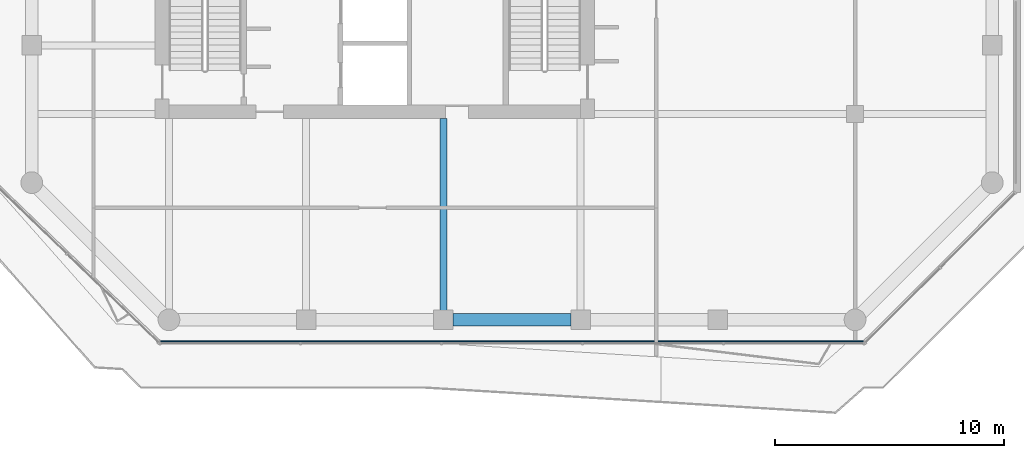
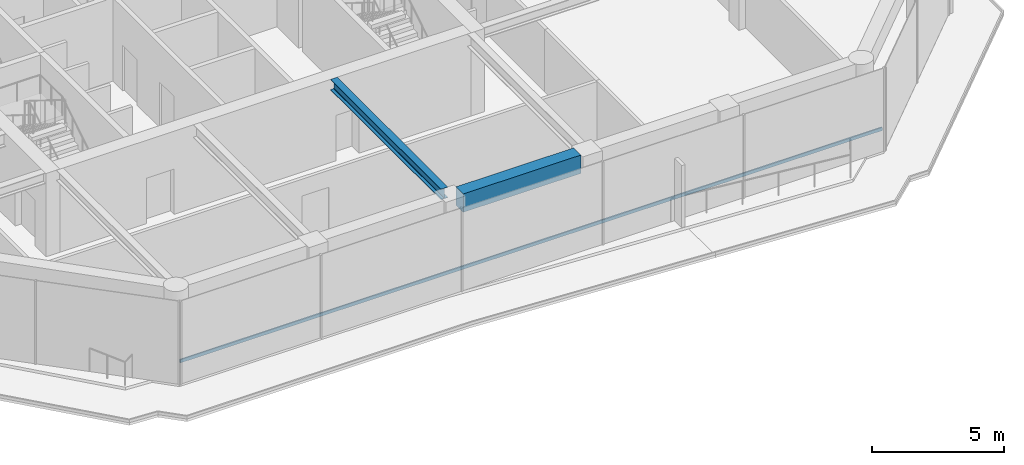
# One storey, part 3 of 22: 2 beams, 1 member, 1 element without a shape of its own.
"""IFC4 building model written with IfcOpenShell, lengths in metres."""

from ifc_helpers import new_model, si_unit, direction, frame, origin, origin_2d, place, context, subcontext, project, spatial, rectangle, i_section, extrude, material, layer, layer_set, material_profile, profile_set, type_object, element, aggregate, save


model = new_model("IFC4")

# Units and contexts
model_context = context("Model", 3, precision=1e-05, world=origin(), true_north=direction((0.0, 1.0)))
body_context = subcontext(model_context, "Body", "Model", "MODEL_VIEW")
ifc_project = project(units=[si_unit("LENGTHUNIT", "METRE"), si_unit("AREAUNIT", "SQUARE_METRE"), si_unit("VOLUMEUNIT", "CUBIC_METRE"), si_unit("PLANEANGLEUNIT", "RADIAN"), si_unit("MASSUNIT", "GRAM", prefix="KILO")], contexts=[model_context])

# Site, building, storey
site_placement = place(None, origin())
site = spatial("IfcSite", under=ifc_project, at=site_placement, CompositionType="ELEMENT")
building_placement = place(site_placement, origin())
building = spatial("IfcBuilding", under=site, at=building_placement, Name="Welwitschia Terrace Campus", CompositionType="ELEMENT")
storey_placement = place(building_placement, frame((0.0, 0.0, 155.0)))
storey = spatial("IfcBuildingStorey", under=building, at=storey_placement, Name="L34", CompositionType="ELEMENT", Elevation=155.0)

# Beams
ifc_material_1 = material(Name="Steel S355", Category="steel")
ifc_material_profile_1 = material_profile(ifc_material_1, i_section(OverallWidth=0.300048828125, OverallDepth=0.489990234375, WebThickness=0.011962890625, FlangeThickness=0.02294921875, FilletRadius=0.027099609375, at=origin_2d()))
ifc_profile_set_1 = profile_set([ifc_material_profile_1], Name="Steel S355")
beam_type_1 = type_object("IfcBeamType", Name="Interior girder HE 500 A", PredefinedType="BEAM", material=ifc_profile_set_1)
beam_1_placement = place(storey_placement, frame((18.0, -3.58447265625, 3.60498046875), z_axis=(0.0, 1.0, 0.0), x_axis=(-1.0, 0.0, 0.0)))
element("IfcBeam", 1, at=beam_1_placement, inside=storey, type_object=beam_type_1, Name="Girder GB4", PredefinedType="BEAM", context=body_context, shape_type="SweptSolid", body=[
    extrude(i_section(OverallWidth=0.300048828125, OverallDepth=0.489990234375, WebThickness=0.011962890625, FlangeThickness=0.02294921875, FilletRadius=0.027099609375, at=origin_2d()), origin(), (0.0, 0.0, 1.0), 8.383544921875),
])
ifc_material_2 = material(Name="Concrete C50/60", Category="concrete")
ifc_material_profile_2 = material_profile(ifc_material_2, rectangle(XDim=0.550048828125, YDim=0.85009765625, at=origin_2d()))
ifc_profile_set_2 = profile_set([ifc_material_profile_2], Name="Concrete C50/60")
beam_type_2 = type_object("IfcBeamType", Name="Ring spandrel 550x850", PredefinedType="SPANDREL", material=ifc_profile_set_2)
beam_2_placement = place(storey_placement, frame((18.425537109375, -4.0, 3.425048828125), z_axis=(1.0, 0.0, 0.0), x_axis=(0.0, 1.0, 0.0)))
element("IfcBeam", 2, at=beam_2_placement, inside=storey, type_object=beam_type_2, Name="Spandrel SP3", PredefinedType="SPANDREL", context=body_context, shape_type="SweptSolid", body=[
    extrude(rectangle(XDim=0.550048828125, YDim=0.85009765625, at=origin_2d()), origin(), (0.0, 0.0, 1.0), 5.14892578125),
])

# Curtain wall, member
ifc_material_3 = material(Name="Bronze anodised aluminium", Category="aluminium")
ifc_layer = layer(ifc_material_3, 0.1201171875)
ifc_layer_set = layer_set([ifc_layer], Name="Bronze anodised aluminium")
curtain_wall_type = type_object("IfcCurtainWallType", Name="Curtain wall CW2 tower 6000", PredefinedType="NOTDEFINED", material=ifc_layer_set)
curtain_wall_placement = place(storey_placement, origin())
curtain_wall = element("IfcCurtainWall", 3, at=curtain_wall_placement, inside=storey, type_object=curtain_wall_type, Name="CW L34.2.0", PredefinedType="NOTDEFINED")
ifc_material_4 = material(Name="Bronze anodised aluminium", Category="aluminium")
ifc_material_profile_3 = material_profile(ifc_material_4, rectangle(XDim=0.06005859375, YDim=0.14990234375, at=origin_2d()))
ifc_profile_set_3 = profile_set([ifc_material_profile_3], Name="Bronze anodised aluminium")
member_type = type_object("IfcMemberType", Name="Transom 60x150", PredefinedType="USERDEFINED", material=ifc_profile_set_3)
member_placement = place(storey_placement, frame((5.63330078125, -4.93994140625, 1.0), z_axis=(1.0, 0.0, 0.0), x_axis=(0.0, 1.0, 0.0)))
member = element("IfcMember", 4, at=member_placement, type_object=member_type, Name="Transom L34.2.0", ObjectType="TRANSOM", PredefinedType="USERDEFINED", context=body_context, shape_type="SweptSolid", body=[
    extrude(rectangle(XDim=0.06005859375, YDim=0.14990234375, at=origin_2d()), origin(), (0.0, 0.0, 1.0), 30.7333984375),
])
aggregate(curtain_wall, [member])

save(model, "model.ifc")
